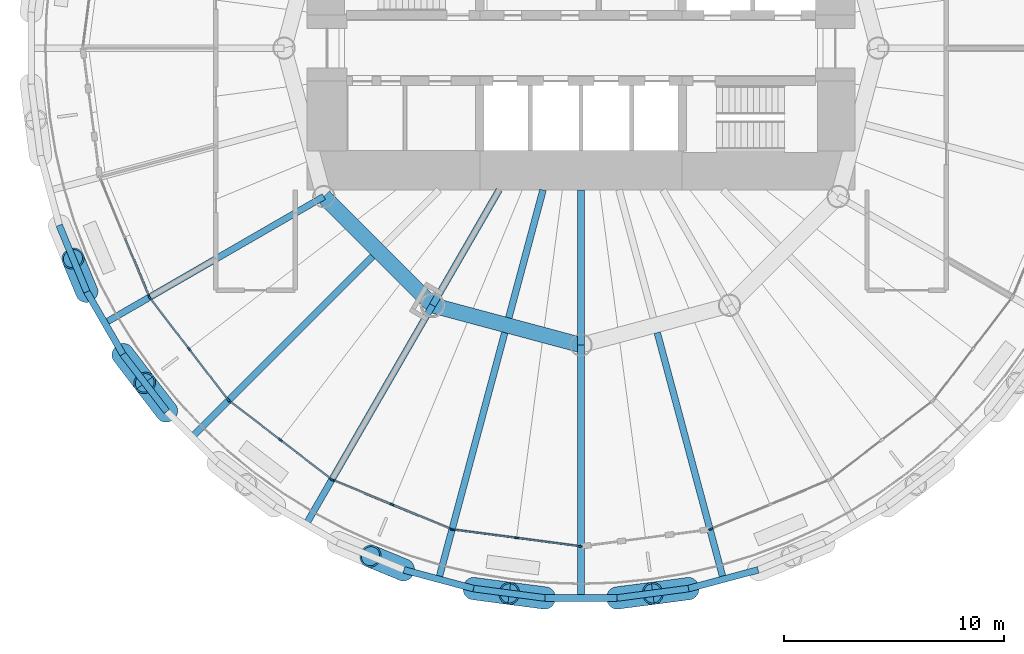
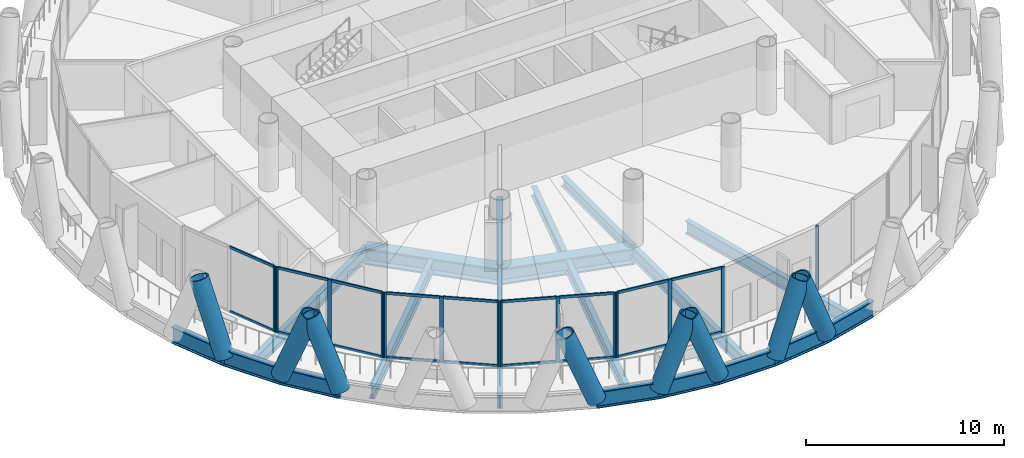
# One storey, part 2 of 15: 40 members, 19 beams, 6 elements without a shape of their own.
"""IFC4 building model written with IfcOpenShell, lengths in metres."""

from ifc_helpers import new_model, si_unit, direction, frame, origin, origin_2d, place, context, subcontext, project, spatial, rectangle, hollow_circle, i_section, extrude, material, material_profile, profile_set, type_object, element, aggregate, save


model = new_model("IFC4")

# Units and contexts
model_context = context("Model", 3, precision=1e-05, world=origin(), true_north=direction((0.0, 1.0)))
body_context = subcontext(model_context, "Body", "Model", "MODEL_VIEW")
ifc_project = project(units=[si_unit("LENGTHUNIT", "METRE"), si_unit("AREAUNIT", "SQUARE_METRE"), si_unit("VOLUMEUNIT", "CUBIC_METRE"), si_unit("PLANEANGLEUNIT", "RADIAN"), si_unit("MASSUNIT", "GRAM", prefix="KILO")], contexts=[model_context])

# Site, building, storey
site_placement = place(None, origin())
site = spatial("IfcSite", under=ifc_project, at=site_placement, CompositionType="ELEMENT")
building_placement = place(site_placement, origin())
building = spatial("IfcBuilding", under=site, at=building_placement, Name="Qaws Media Tower", CompositionType="ELEMENT")
storey_placement = place(building_placement, frame((0.0, 0.0, 131.0)))
storey = spatial("IfcBuildingStorey", under=building, at=storey_placement, Name="L29", CompositionType="ELEMENT", Elevation=131.0)

# Curtain wall, member
ifc_material_1 = material(Name="Aluminium and clear glass", Category="aluminium")
curtain_wall_type = type_object("IfcCurtainWallType", Name="Unitised curtain wall CW-B", PredefinedType="NOTDEFINED", material=ifc_material_1)
curtain_wall_1_placement = place(storey_placement, origin())
curtain_wall_1 = element("IfcCurtainWall", 1, at=curtain_wall_1_placement, inside=storey, type_object=curtain_wall_type, Name="CWB curtain wall L29-14", PredefinedType="NOTDEFINED")
ifc_material_2 = material(Name="Aluminium mullion", Category="aluminium")
ifc_material_profile_1 = material_profile(ifc_material_2, rectangle(XDim=0.080078125, YDim=0.199951171875, at=origin_2d()), Name="80x200")
ifc_profile_set_1 = profile_set([ifc_material_profile_1], Name="Aluminium mullion")
member_type_1 = type_object("IfcMemberType", Name="Curtain wall mullion 80x200", PredefinedType="MULLION", material=ifc_profile_set_1)
member_1_placement = place(storey_placement, frame((40.369140625, 38.7119140625, 0.0), z_axis=(0.0, 0.0, 1.0), x_axis=(0.923879515987, 0.382683472258, 0.0)))
member_1 = element("IfcMember", 2, at=member_1_placement, type_object=member_type_1, Name="CWB mullion 3", PredefinedType="MULLION", context=body_context, shape_type="SweptSolid", body=[
    extrude(rectangle(XDim=0.080078125, YDim=0.199951171875, at=origin_2d()), origin(), (0.0, 0.0, 1.0), 4.0400390625),
])

# Curtain wall, members
curtain_wall_2_placement = place(storey_placement, origin())
curtain_wall_2 = element("IfcCurtainWall", 3, at=curtain_wall_2_placement, inside=storey, type_object=curtain_wall_type, Name="CWB curtain wall L29-15", PredefinedType="NOTDEFINED")
member_2_placement = place(storey_placement, frame((40.408935546875, 38.643310546875, 0.0), z_axis=(0.0, 0.0, 1.0), x_axis=(0.79335343124, 0.608761310482, 0.0)))
member_2 = element("IfcMember", 4, at=member_2_placement, type_object=member_type_1, Name="CWB mullion 1", PredefinedType="MULLION", context=body_context, shape_type="SweptSolid", body=[
    extrude(rectangle(XDim=0.080078125, YDim=0.199951171875, at=origin_2d()), origin(), (0.0, 0.0, 1.0), 4.0400390625),
])
member_3_placement = place(storey_placement, frame((42.184326171875, 36.32958984375, 0.0), z_axis=(0.0, 0.0, 1.0), x_axis=(0.79335343124, 0.608761310482, 0.0)))
member_3 = element("IfcMember", 5, at=member_3_placement, type_object=member_type_1, Name="CWB mullion 2", PredefinedType="MULLION", context=body_context, shape_type="SweptSolid", body=[
    extrude(rectangle(XDim=0.080078125, YDim=0.199951171875, at=origin_2d()), origin(), (0.0, 0.0, 1.0), 4.0400390625),
])
member_4_placement = place(storey_placement, frame((43.959716796875, 34.015869140625, 0.0), z_axis=(0.0, 0.0, 1.0), x_axis=(0.79335343124, 0.608761310482, 0.0)))
member_4 = element("IfcMember", 6, at=member_4_placement, type_object=member_type_1, Name="CWB mullion 3", PredefinedType="MULLION", context=body_context, shape_type="SweptSolid", body=[
    extrude(rectangle(XDim=0.080078125, YDim=0.199951171875, at=origin_2d()), origin(), (0.0, 0.0, 1.0), 4.0400390625),
])

curtain_wall_3_placement = place(storey_placement, origin())
curtain_wall_3 = element("IfcCurtainWall", 7, at=curtain_wall_3_placement, inside=storey, type_object=curtain_wall_type, Name="CWB curtain wall L29-16", PredefinedType="NOTDEFINED")
member_5_placement = place(storey_placement, frame((44.015869140625, 33.959716796875, 0.0), z_axis=(0.0, 0.0, 1.0), x_axis=(0.608761310482, 0.79335343124, 0.0)))
member_5 = element("IfcMember", 8, at=member_5_placement, type_object=member_type_1, Name="CWB mullion 1", PredefinedType="MULLION", context=body_context, shape_type="SweptSolid", body=[
    extrude(rectangle(XDim=0.080078125, YDim=0.199951171875, at=origin_2d()), origin(), (0.0, 0.0, 1.0), 4.0400390625),
])
member_6_placement = place(storey_placement, frame((46.32958984375, 32.184326171875, 0.0), z_axis=(0.0, 0.0, 1.0), x_axis=(0.608761310482, 0.79335343124, 0.0)))
member_6 = element("IfcMember", 9, at=member_6_placement, type_object=member_type_1, Name="CWB mullion 2", PredefinedType="MULLION", context=body_context, shape_type="SweptSolid", body=[
    extrude(rectangle(XDim=0.080078125, YDim=0.199951171875, at=origin_2d()), origin(), (0.0, 0.0, 1.0), 4.0400390625),
])
member_7_placement = place(storey_placement, frame((48.643310546875, 30.408935546875, 0.0), z_axis=(0.0, 0.0, 1.0), x_axis=(0.608761310482, 0.79335343124, 0.0)))
member_7 = element("IfcMember", 10, at=member_7_placement, type_object=member_type_1, Name="CWB mullion 3", PredefinedType="MULLION", context=body_context, shape_type="SweptSolid", body=[
    extrude(rectangle(XDim=0.080078125, YDim=0.199951171875, at=origin_2d()), origin(), (0.0, 0.0, 1.0), 4.0400390625),
])

curtain_wall_4_placement = place(storey_placement, origin())
curtain_wall_4 = element("IfcCurtainWall", 11, at=curtain_wall_4_placement, inside=storey, type_object=curtain_wall_type, Name="CWB curtain wall L29-17", PredefinedType="NOTDEFINED")
member_8_placement = place(storey_placement, frame((48.7119140625, 30.369140625, 0.0), z_axis=(0.0, 0.0, 1.0), x_axis=(0.382683472258, 0.923879515987, 0.0)))
member_8 = element("IfcMember", 12, at=member_8_placement, type_object=member_type_1, Name="CWB mullion 1", PredefinedType="MULLION", context=body_context, shape_type="SweptSolid", body=[
    extrude(rectangle(XDim=0.080078125, YDim=0.199951171875, at=origin_2d()), origin(), (0.0, 0.0, 1.0), 4.0400390625),
])
member_9_placement = place(storey_placement, frame((51.406494140625, 29.253173828125, 0.0), z_axis=(0.0, 0.0, 1.0), x_axis=(0.382683472258, 0.923879515987, 0.0)))
member_9 = element("IfcMember", 13, at=member_9_placement, type_object=member_type_1, Name="CWB mullion 2", PredefinedType="MULLION", context=body_context, shape_type="SweptSolid", body=[
    extrude(rectangle(XDim=0.080078125, YDim=0.199951171875, at=origin_2d()), origin(), (0.0, 0.0, 1.0), 4.0400390625),
])
member_10_placement = place(storey_placement, frame((54.100830078125, 28.13720703125, 0.0), z_axis=(0.0, 0.0, 1.0), x_axis=(0.382683472258, 0.923879515987, 0.0)))
member_10 = element("IfcMember", 14, at=member_10_placement, type_object=member_type_1, Name="CWB mullion 3", PredefinedType="MULLION", context=body_context, shape_type="SweptSolid", body=[
    extrude(rectangle(XDim=0.080078125, YDim=0.199951171875, at=origin_2d()), origin(), (0.0, 0.0, 1.0), 4.0400390625),
])

curtain_wall_5_placement = place(storey_placement, origin())
curtain_wall_5 = element("IfcCurtainWall", 15, at=curtain_wall_5_placement, inside=storey, type_object=curtain_wall_type, Name="CWB curtain wall L29-18", PredefinedType="NOTDEFINED")
member_11_placement = place(storey_placement, frame((54.177490234375, 28.116455078125, 0.0), z_axis=(0.0, 0.0, 1.0), x_axis=(0.130526194608, 0.991444861059, 0.0)))
member_11 = element("IfcMember", 16, at=member_11_placement, type_object=member_type_1, Name="CWB mullion 1", PredefinedType="MULLION", context=body_context, shape_type="SweptSolid", body=[
    extrude(rectangle(XDim=0.080078125, YDim=0.199951171875, at=origin_2d()), origin(), (0.0, 0.0, 1.0), 4.0400390625),
])
member_12_placement = place(storey_placement, frame((57.06884765625, 27.73583984375, 0.0), z_axis=(0.0, 0.0, 1.0), x_axis=(0.130526194608, 0.991444861059, 0.0)))
member_12 = element("IfcMember", 17, at=member_12_placement, type_object=member_type_1, Name="CWB mullion 2", PredefinedType="MULLION", context=body_context, shape_type="SweptSolid", body=[
    extrude(rectangle(XDim=0.080078125, YDim=0.199951171875, at=origin_2d()), origin(), (0.0, 0.0, 1.0), 4.0400390625),
])
member_13_placement = place(storey_placement, frame((59.96044921875, 27.355224609375, 0.0), z_axis=(0.0, 0.0, 1.0), x_axis=(0.130526194608, 0.991444861059, 0.0)))
member_13 = element("IfcMember", 18, at=member_13_placement, type_object=member_type_1, Name="CWB mullion 3", PredefinedType="MULLION", context=body_context, shape_type="SweptSolid", body=[
    extrude(rectangle(XDim=0.080078125, YDim=0.199951171875, at=origin_2d()), origin(), (0.0, 0.0, 1.0), 4.0400390625),
])

# Curtain wall, member
curtain_wall_6_placement = place(storey_placement, origin())
curtain_wall_6 = element("IfcCurtainWall", 19, at=curtain_wall_6_placement, inside=storey, type_object=curtain_wall_type, Name="CWB curtain wall L29-20", PredefinedType="NOTDEFINED")
member_14_placement = place(storey_placement, frame((65.899169921875, 28.13720703125, 0.0), z_axis=(0.0, 0.0, 1.0), x_axis=(-0.382683472258, 0.923879515987, 0.0)))
member_14 = element("IfcMember", 20, at=member_14_placement, type_object=member_type_1, Name="CWB mullion 1", PredefinedType="MULLION", context=body_context, shape_type="SweptSolid", body=[
    extrude(rectangle(XDim=0.080078125, YDim=0.199951171875, at=origin_2d()), origin(), (0.0, 0.0, 1.0), 4.0400390625),
])
aggregate(curtain_wall_6, [member_14])

# Member
ifc_material_3 = material(Name="Aluminium transom", Category="aluminium")
ifc_material_profile_2 = material_profile(ifc_material_3, rectangle(XDim=0.080078125, YDim=0.159912109375, at=origin_2d()), Name="80x160")
ifc_profile_set_2 = profile_set([ifc_material_profile_2], Name="Aluminium transom")
member_type_2 = type_object("IfcMemberType", Name="Curtain wall transom 80x160", PredefinedType="USERDEFINED", material=ifc_profile_set_2)
member_15_placement = place(storey_placement, frame((39.2685546875, 41.369384765625, 0.0400390625), z_axis=(0.382701494265, -0.92387205082, 0.0), x_axis=(0.92387205082, 0.382701494265, 0.0)))
member_15 = element("IfcMember", 21, at=member_15_placement, type_object=member_type_2, Name="CWB transom 2.1", ObjectType="TRANSOM", PredefinedType="USERDEFINED", context=body_context, shape_type="SweptSolid", body=[
    extrude(rectangle(XDim=0.080078125, YDim=0.159912109375, at=origin_2d()), origin(), (0.0, 0.0, 1.0), 2.836181640625),
])

member_16_placement = place(storey_placement, frame((39.2685546875, 41.369384765625, 4.0), z_axis=(0.382701494265, -0.92387205082, 0.0), x_axis=(0.92387205082, 0.382701494265, 0.0)))
member_16 = element("IfcMember", 22, at=member_16_placement, type_object=member_type_2, Name="CWB transom 2.2", ObjectType="TRANSOM", PredefinedType="USERDEFINED", context=body_context, shape_type="SweptSolid", body=[
    extrude(rectangle(XDim=0.080078125, YDim=0.159912109375, at=origin_2d()), origin(), (0.0, 0.0, 1.0), 2.836181640625),
])

aggregate(curtain_wall_1, [member_1, member_15, member_16])

member_17_placement = place(storey_placement, frame((40.43310546875, 38.611572265625, 0.0400390625), z_axis=(0.608791070465, -0.793330594722, 0.0), x_axis=(0.793330594722, 0.608791070465, 0.0)))
member_17 = element("IfcMember", 23, at=member_17_placement, type_object=member_type_2, Name="CWB transom 1.1", ObjectType="TRANSOM", PredefinedType="USERDEFINED", context=body_context, shape_type="SweptSolid", body=[
    extrude(rectangle(XDim=0.080078125, YDim=0.159912109375, at=origin_2d()), origin(), (0.0, 0.0, 1.0), 2.83642578125),
])

member_18_placement = place(storey_placement, frame((40.43310546875, 38.611572265625, 4.0), z_axis=(0.608791070465, -0.793330594722, 0.0), x_axis=(0.793330594722, 0.608791070465, 0.0)))
member_18 = element("IfcMember", 24, at=member_18_placement, type_object=member_type_2, Name="CWB transom 1.2", ObjectType="TRANSOM", PredefinedType="USERDEFINED", context=body_context, shape_type="SweptSolid", body=[
    extrude(rectangle(XDim=0.080078125, YDim=0.159912109375, at=origin_2d()), origin(), (0.0, 0.0, 1.0), 2.83642578125),
])

member_19_placement = place(storey_placement, frame((42.208740234375, 36.2978515625, 0.0400390625), z_axis=(0.608736894437, -0.793372165728, 0.0), x_axis=(0.793372165728, 0.608736894437, 0.0)))
member_19 = element("IfcMember", 25, at=member_19_placement, type_object=member_type_2, Name="CWB transom 2.1", ObjectType="TRANSOM", PredefinedType="USERDEFINED", context=body_context, shape_type="SweptSolid", body=[
    extrude(rectangle(XDim=0.080078125, YDim=0.159912109375, at=origin_2d()), origin(), (0.0, 0.0, 1.0), 2.836181640625),
])

member_20_placement = place(storey_placement, frame((42.208740234375, 36.2978515625, 4.0), z_axis=(0.608736894437, -0.793372165728, 0.0), x_axis=(0.793372165728, 0.608736894437, 0.0)))
member_20 = element("IfcMember", 26, at=member_20_placement, type_object=member_type_2, Name="CWB transom 2.2", ObjectType="TRANSOM", PredefinedType="USERDEFINED", context=body_context, shape_type="SweptSolid", body=[
    extrude(rectangle(XDim=0.080078125, YDim=0.159912109375, at=origin_2d()), origin(), (0.0, 0.0, 1.0), 2.836181640625),
])

aggregate(curtain_wall_2, [member_2, member_3, member_4, member_17, member_18, member_19, member_20])

member_21_placement = place(storey_placement, frame((44.047607421875, 33.935302734375, 0.0400390625), z_axis=(0.793372165728, -0.608736894437, 0.0), x_axis=(0.608736894437, 0.793372165728, 0.0)))
member_21 = element("IfcMember", 27, at=member_21_placement, type_object=member_type_2, Name="CWB transom 1.1", ObjectType="TRANSOM", PredefinedType="USERDEFINED", context=body_context, shape_type="SweptSolid", body=[
    extrude(rectangle(XDim=0.080078125, YDim=0.159912109375, at=origin_2d()), origin(), (0.0, 0.0, 1.0), 2.836181640625),
])

member_22_placement = place(storey_placement, frame((44.047607421875, 33.935302734375, 4.0), z_axis=(0.793372165728, -0.608736894437, 0.0), x_axis=(0.608736894437, 0.793372165728, 0.0)))
member_22 = element("IfcMember", 28, at=member_22_placement, type_object=member_type_2, Name="CWB transom 1.2", ObjectType="TRANSOM", PredefinedType="USERDEFINED", context=body_context, shape_type="SweptSolid", body=[
    extrude(rectangle(XDim=0.080078125, YDim=0.159912109375, at=origin_2d()), origin(), (0.0, 0.0, 1.0), 2.836181640625),
])

member_23_placement = place(storey_placement, frame((46.361328125, 32.159912109375, 0.0400390625), z_axis=(0.793330594722, -0.608791070465, 0.0), x_axis=(0.608791070465, 0.793330594722, 0.0)))
member_23 = element("IfcMember", 29, at=member_23_placement, type_object=member_type_2, Name="CWB transom 2.1", ObjectType="TRANSOM", PredefinedType="USERDEFINED", context=body_context, shape_type="SweptSolid", body=[
    extrude(rectangle(XDim=0.080078125, YDim=0.159912109375, at=origin_2d()), origin(), (0.0, 0.0, 1.0), 2.83642578125),
])

member_24_placement = place(storey_placement, frame((46.361328125, 32.159912109375, 4.0), z_axis=(0.793330594722, -0.608791070465, 0.0), x_axis=(0.608791070465, 0.793330594722, 0.0)))
member_24 = element("IfcMember", 30, at=member_24_placement, type_object=member_type_2, Name="CWB transom 2.2", ObjectType="TRANSOM", PredefinedType="USERDEFINED", context=body_context, shape_type="SweptSolid", body=[
    extrude(rectangle(XDim=0.080078125, YDim=0.159912109375, at=origin_2d()), origin(), (0.0, 0.0, 1.0), 2.83642578125),
])

aggregate(curtain_wall_3, [member_5, member_6, member_7, member_21, member_22, member_23, member_24])

member_25_placement = place(storey_placement, frame((48.7490234375, 30.35400390625, 0.0400390625), z_axis=(0.92387205082, -0.382701494265, 0.0), x_axis=(0.382701494265, 0.92387205082, 0.0)))
member_25 = element("IfcMember", 31, at=member_25_placement, type_object=member_type_2, Name="CWB transom 1.1", ObjectType="TRANSOM", PredefinedType="USERDEFINED", context=body_context, shape_type="SweptSolid", body=[
    extrude(rectangle(XDim=0.080078125, YDim=0.159912109375, at=origin_2d()), origin(), (0.0, 0.0, 1.0), 2.836181640625),
])

member_26_placement = place(storey_placement, frame((48.7490234375, 30.35400390625, 4.0), z_axis=(0.92387205082, -0.382701494265, 0.0), x_axis=(0.382701494265, 0.92387205082, 0.0)))
member_26 = element("IfcMember", 32, at=member_26_placement, type_object=member_type_2, Name="CWB transom 1.2", ObjectType="TRANSOM", PredefinedType="USERDEFINED", context=body_context, shape_type="SweptSolid", body=[
    extrude(rectangle(XDim=0.080078125, YDim=0.159912109375, at=origin_2d()), origin(), (0.0, 0.0, 1.0), 2.836181640625),
])

member_27_placement = place(storey_placement, frame((51.443359375, 29.23779296875, 0.0400390625), z_axis=(0.92387205082, -0.382701494265, 0.0), x_axis=(0.382701494265, 0.92387205082, 0.0)))
member_27 = element("IfcMember", 33, at=member_27_placement, type_object=member_type_2, Name="CWB transom 2.1", ObjectType="TRANSOM", PredefinedType="USERDEFINED", context=body_context, shape_type="SweptSolid", body=[
    extrude(rectangle(XDim=0.080078125, YDim=0.159912109375, at=origin_2d()), origin(), (0.0, 0.0, 1.0), 2.836181640625),
])

member_28_placement = place(storey_placement, frame((51.443359375, 29.23779296875, 4.0), z_axis=(0.92387205082, -0.382701494265, 0.0), x_axis=(0.382701494265, 0.92387205082, 0.0)))
member_28 = element("IfcMember", 34, at=member_28_placement, type_object=member_type_2, Name="CWB transom 2.2", ObjectType="TRANSOM", PredefinedType="USERDEFINED", context=body_context, shape_type="SweptSolid", body=[
    extrude(rectangle(XDim=0.080078125, YDim=0.159912109375, at=origin_2d()), origin(), (0.0, 0.0, 1.0), 2.836181640625),
])

aggregate(curtain_wall_4, [member_8, member_9, member_10, member_25, member_26, member_27, member_28])

member_29_placement = place(storey_placement, frame((54.217041015625, 28.111328125, 0.0400390625), z_axis=(0.991450486674, -0.130483456706, 0.0), x_axis=(0.130483456706, 0.991450486674, 0.0)))
member_29 = element("IfcMember", 35, at=member_29_placement, type_object=member_type_2, Name="CWB transom 1.1", ObjectType="TRANSOM", PredefinedType="USERDEFINED", context=body_context, shape_type="SweptSolid", body=[
    extrude(rectangle(XDim=0.080078125, YDim=0.159912109375, at=origin_2d()), origin(), (0.0, 0.0, 1.0), 2.83642578125),
])

member_30_placement = place(storey_placement, frame((54.217041015625, 28.111328125, 4.0), z_axis=(0.991450486674, -0.130483456706, 0.0), x_axis=(0.130483456706, 0.991450486674, 0.0)))
member_30 = element("IfcMember", 36, at=member_30_placement, type_object=member_type_2, Name="CWB transom 1.2", ObjectType="TRANSOM", PredefinedType="USERDEFINED", context=body_context, shape_type="SweptSolid", body=[
    extrude(rectangle(XDim=0.080078125, YDim=0.159912109375, at=origin_2d()), origin(), (0.0, 0.0, 1.0), 2.83642578125),
])

member_31_placement = place(storey_placement, frame((57.108642578125, 27.730712890625, 0.0400390625), z_axis=(0.991437880872, -0.130579203445, 0.0), x_axis=(0.130579203445, 0.991437880872, 0.0)))
member_31 = element("IfcMember", 37, at=member_31_placement, type_object=member_type_2, Name="CWB transom 2.1", ObjectType="TRANSOM", PredefinedType="USERDEFINED", context=body_context, shape_type="SweptSolid", body=[
    extrude(rectangle(XDim=0.080078125, YDim=0.159912109375, at=origin_2d()), origin(), (0.0, 0.0, 1.0), 2.836181640625),
])

member_32_placement = place(storey_placement, frame((57.108642578125, 27.730712890625, 4.0), z_axis=(0.991437880872, -0.130579203445, 0.0), x_axis=(0.130579203445, 0.991437880872, 0.0)))
member_32 = element("IfcMember", 38, at=member_32_placement, type_object=member_type_2, Name="CWB transom 2.2", ObjectType="TRANSOM", PredefinedType="USERDEFINED", context=body_context, shape_type="SweptSolid", body=[
    extrude(rectangle(XDim=0.080078125, YDim=0.159912109375, at=origin_2d()), origin(), (0.0, 0.0, 1.0), 2.836181640625),
])

aggregate(curtain_wall_5, [member_11, member_12, member_13, member_29, member_30, member_31, member_32])

# Members
ifc_material_4 = material(Name="Steel S460", Category="steel")
ifc_material_profile_3 = material_profile(ifc_material_4, hollow_circle(Radius=0.508056640625, WallThickness=0.070068359375, at=origin_2d()), Name="CHS 1016x70")
ifc_profile_set_3 = profile_set([ifc_material_profile_3], Name="Steel S460")
member_type_3 = type_object("IfcMemberType", Name="Diagrid member CHS 1016x70", PredefinedType="USERDEFINED", material=ifc_profile_set_3)
for number, where, z_axis, x_axis, name in (
    (39, (39.171630859375, 36.0830078125, -0.6640625), (0.220625429951, -0.288805944508, 0.931619850624), (0.794658028711, 0.607057342765, 0.0), "DG3 diagrid L29 A15"),
    (40, (37.533447265625, 38.920654296875, -0.6640625), (-0.139828148324, 0.335435922045, 0.931628054074), (-0.923015187913, -0.38476351553, 0.0), "DG3 diagrid L29 B15"),
    (41, (41.16650390625, 33.4833984375, -0.6640625), (-0.221872197293, 0.28783273825, 0.93162494753), (-0.792008696102, -0.610509807701, 0.0), "DG3 diagrid L29 B16"),
):
    element("IfcMember", number, at=place(storey_placement, frame(where, z_axis=z_axis, x_axis=x_axis)), inside=storey, type_object=member_type_3, Name=name, ObjectType="DIAGRID", PredefinedType="USERDEFINED", context=body_context, shape_type="SweptSolid", body=[
        extrude(hollow_circle(Radius=0.508056640625, WallThickness=0.070068359375, at=origin_2d()), origin(), (0.0, 0.0, 1.0), 4.50830078125),
    ])
member_33_placement = place(storey_placement, frame((55.113037109375, 25.431396484375, -0.6640625), z_axis=(0.360186160571, -0.048252273202, 0.931631712569), x_axis=(0.132778654682, 0.991145715251, 0.0)))
element("IfcMember", 42, at=member_33_placement, inside=storey, type_object=member_type_3, Name="DG3 diagrid L29 A18", ObjectType="DIAGRID", PredefinedType="USERDEFINED", context=body_context, shape_type="SweptSolid", body=[
    extrude(hollow_circle(Radius=0.508056640625, WallThickness=0.070068359375, at=origin_2d()), origin(), (0.0, 0.0, 1.0), 4.508056640625),
])
member_34_placement = place(storey_placement, frame((51.947998046875, 26.279296875, -0.6640625), z_axis=(-0.336080803796, 0.13836391455, 0.931614255188), x_axis=(-0.380697345738, -0.924699697711, 0.0)))
element("IfcMember", 43, at=member_34_placement, inside=storey, type_object=member_type_3, Name="DG3 diagrid L29 B18", ObjectType="DIAGRID", PredefinedType="USERDEFINED", context=body_context, shape_type="SweptSolid", body=[
    extrude(hollow_circle(Radius=0.508056640625, WallThickness=0.070068359375, at=origin_2d()), origin(), (0.0, 0.0, 1.0), 4.50830078125),
])
for number, where, z_axis, x_axis, name in (
    (44, (61.638427734375, 25.003662109375, -0.6640625), (0.360402430408, 0.046627572138, 0.931630805455), (-0.128307046915, 0.991734491541, 0.0), "DG3 diagrid L29 A19"),
    (45, (58.361572265625, 25.003662109375, -0.6640625), (-0.360402430408, 0.046627572138, 0.931630805455), (-0.128307046915, -0.991734491541, 0.0), "DG3 diagrid L29 B19"),
    (46, (64.886962890625, 25.431396484375, -0.6640625), (-0.360186160571, -0.048252273202, 0.931631712569), (0.132778654682, -0.991145715251, 0.0), "DG3 diagrid L29 B20"),
):
    element("IfcMember", number, at=place(storey_placement, frame(where, z_axis=z_axis, x_axis=x_axis)), inside=storey, type_object=member_type_3, Name=name, ObjectType="DIAGRID", PredefinedType="USERDEFINED", context=body_context, shape_type="SweptSolid", body=[
        extrude(hollow_circle(Radius=0.508056640625, WallThickness=0.070068359375, at=origin_2d()), origin(), (0.0, 0.0, 1.0), 4.508056640625),
    ])

# Beams
ifc_material_5 = material(Name="Steel S460", Category="steel")
ifc_material_profile_4 = material_profile(ifc_material_5, i_section(OverallWidth=0.302001953125, OverallDepth=1.008056640625, WebThickness=0.02099609375, FlangeThickness=0.0400390625, FilletRadius=0.030029296875, at=origin_2d()), Name="HE 1000 M")
ifc_profile_set_4 = profile_set([ifc_material_profile_4], Name="Steel S460")
beam_type_1 = type_object("IfcBeamType", Name="Edge ring beam HE 1000 M", PredefinedType="BEAM", material=ifc_profile_set_4)
beam_1_placement = place(storey_placement, frame((36.279296875, 41.947998046875, -0.6640625), z_axis=(0.382731243391, -0.923859727087, 0.0), x_axis=(0.923859727087, 0.382731243391, 0.0)))
element("IfcBeam", 47, at=beam_1_placement, inside=storey, type_object=beam_type_1, Name="RB3 edge ring beam L29-27", PredefinedType="BEAM", context=body_context, shape_type="SweptSolid", body=[
    extrude(i_section(OverallWidth=0.302001953125, OverallDepth=1.008056640625, WebThickness=0.02099609375, FlangeThickness=0.0400390625, FilletRadius=0.030029296875, at=origin_2d()), origin(), (0.0, 0.0, 1.0), 3.27685546875),
])
beam_2_placement = place(storey_placement, frame((37.533447265625, 38.920654296875, -0.6640625), z_axis=(0.499969700927, -0.866042896256, 0.0), x_axis=(0.866042896256, 0.499969700927, 0.0)))
element("IfcBeam", 48, at=beam_2_placement, inside=storey, type_object=beam_type_1, Name="RB3 edge ring beam L29-28", PredefinedType="BEAM", context=body_context, shape_type="SweptSolid", body=[
    extrude(i_section(OverallWidth=0.302001953125, OverallDepth=1.008056640625, WebThickness=0.02099609375, FlangeThickness=0.0400390625, FilletRadius=0.030029296875, at=origin_2d()), origin(), (0.0, 0.0, 1.0), 3.276611328125),
])
beam_3_placement = place(storey_placement, frame((39.171630859375, 36.0830078125, -0.6640625), z_axis=(0.608784980665, -0.793335267914, 0.0), x_axis=(0.793335267914, 0.608784980665, 0.0)))
element("IfcBeam", 49, at=beam_3_placement, inside=storey, type_object=beam_type_1, Name="RB3 edge ring beam L29-29", PredefinedType="BEAM", context=body_context, shape_type="SweptSolid", body=[
    extrude(i_section(OverallWidth=0.302001953125, OverallDepth=1.008056640625, WebThickness=0.02099609375, FlangeThickness=0.0400390625, FilletRadius=0.030029296875, at=origin_2d()), origin(), (0.0, 0.0, 1.0), 3.27685546875),
])
for number, where, z_axis, x_axis, name in (
    (50, (51.947998046875, 26.279296875, -0.6640625), (0.965938739985, -0.258770845724, 0.0), (0.258770845724, 0.965938739985, 0.0), "RB3 edge ring beam L29-34"),
    (51, (55.113037109375, 25.431396484375, -0.6640625), (0.991442625467, -0.130543174494, 0.0), (0.130543174494, 0.991442625467, 0.0), "RB3 edge ring beam L29-35"),
):
    element("IfcBeam", number, at=place(storey_placement, frame(where, z_axis=z_axis, x_axis=x_axis)), inside=storey, type_object=beam_type_1, Name=name, PredefinedType="BEAM", context=body_context, shape_type="SweptSolid", body=[
        extrude(i_section(OverallWidth=0.302001953125, OverallDepth=1.008056640625, WebThickness=0.02099609375, FlangeThickness=0.0400390625, FilletRadius=0.030029296875, at=origin_2d()), origin(), (0.0, 0.0, 1.0), 3.276611328125),
    ])
beam_4_placement = place(storey_placement, frame((58.361572265625, 25.003662109375, -0.6640625), z_axis=(1.0, 0.0, 0.0), x_axis=(0.0, 1.0, 0.0)))
element("IfcBeam", 52, at=beam_4_placement, inside=storey, type_object=beam_type_1, Name="RB3 edge ring beam L29-36", PredefinedType="BEAM", context=body_context, shape_type="SweptSolid", body=[
    extrude(i_section(OverallWidth=0.302001953125, OverallDepth=1.008056640625, WebThickness=0.02099609375, FlangeThickness=0.0400390625, FilletRadius=0.030029296875, at=origin_2d()), origin(), (0.0, 0.0, 1.0), 3.27685546875),
])
for number, where, z_axis, x_axis, name in (
    (53, (61.638427734375, 25.003662109375, -0.6640625), (0.991442625467, 0.130543174494, 0.0), (-0.130543174494, 0.991442625467, 0.0), "RB3 edge ring beam L29-37"),
    (54, (64.886962890625, 25.431396484375, -0.6640625), (0.965938739985, 0.258770845724, 0.0), (-0.258770845724, 0.965938739985, 0.0), "RB3 edge ring beam L29-38"),
):
    element("IfcBeam", number, at=place(storey_placement, frame(where, z_axis=z_axis, x_axis=x_axis)), inside=storey, type_object=beam_type_1, Name=name, PredefinedType="BEAM", context=body_context, shape_type="SweptSolid", body=[
        extrude(i_section(OverallWidth=0.302001953125, OverallDepth=1.008056640625, WebThickness=0.02099609375, FlangeThickness=0.0400390625, FilletRadius=0.030029296875, at=origin_2d()), origin(), (0.0, 0.0, 1.0), 3.276611328125),
    ])
ifc_material_6 = material(Name="Steel S460", Category="steel")
ifc_material_profile_5 = material_profile(ifc_material_6, i_section(OverallWidth=0.699951171875, OverallDepth=1.0, WebThickness=0.034912109375, FlangeThickness=0.090087890625, at=origin_2d()), Name="PG 1000x700")
ifc_profile_set_5 = profile_set([ifc_material_profile_5], Name="Steel S460")
beam_type_2 = type_object("IfcBeamType", Name="Inner ring girder PG 1000x700", PredefinedType="BEAM", material=ifc_profile_set_5)
beam_5_placement = place(storey_placement, frame((48.30859375, 43.25, -0.659912109375), z_axis=(0.707106781187, -0.707106781187, 0.0), x_axis=(0.707106781187, 0.707106781187, 0.0)))
element("IfcBeam", 55, at=beam_5_placement, inside=storey, type_object=beam_type_2, Name="B3 inner ring beam L29 I08-I09", PredefinedType="BEAM", context=body_context, shape_type="SweptSolid", body=[
    extrude(i_section(OverallWidth=0.699951171875, OverallDepth=1.0, WebThickness=0.034912109375, FlangeThickness=0.090087890625, at=origin_2d()), origin(), (0.0, 0.0, 1.0), 6.98828125),
])
beam_6_placement = place(storey_placement, frame((53.25, 38.30859375, -0.659912109375), z_axis=(0.965928090778, -0.258810593767, 0.0), x_axis=(0.258810593767, 0.965928090778, 0.0)))
element("IfcBeam", 56, at=beam_6_placement, inside=storey, type_object=beam_type_2, Name="B3 inner ring beam L29 I09-I10", PredefinedType="BEAM", context=body_context, shape_type="SweptSolid", body=[
    extrude(i_section(OverallWidth=0.699951171875, OverallDepth=1.0, WebThickness=0.034912109375, FlangeThickness=0.090087890625, at=origin_2d()), origin(), (0.0, 0.0, 1.0), 6.988037109375),
])
ifc_material_7 = material(Name="Steel S355", Category="steel")
ifc_material_profile_6 = material_profile(ifc_material_7, i_section(OverallWidth=0.304931640625, OverallDepth=0.6201171875, WebThickness=0.02099609375, FlangeThickness=0.0400390625, FilletRadius=0.027099609375, at=origin_2d()), Name="HE 600 M")
ifc_profile_set_6 = profile_set([ifc_material_profile_6], Name="Steel S355")
beam_type_3 = type_object("IfcBeamType", Name="Radial beam HE 600 M, core side", PredefinedType="BEAM", material=ifc_profile_set_6)
beam_7_placement = place(storey_placement, frame((56.276123046875, 43.550048828125, -0.469970703125), z_axis=(-0.499995978368, -0.866027725662, 0.0), x_axis=(0.866027725662, -0.499995978368, 0.0)))
element("IfcBeam", 57, at=beam_7_placement, inside=storey, type_object=beam_type_3, Name="B2 radial beam L29 17", PredefinedType="BEAM", context=body_context, shape_type="SweptSolid", body=[
    extrude(i_section(OverallWidth=0.304931640625, OverallDepth=0.6201171875, WebThickness=0.02099609375, FlangeThickness=0.0400390625, FilletRadius=0.027099609375, at=origin_2d()), origin(), (0.0, 0.0, 1.0), 6.05224609375),
])
beam_8_placement = place(storey_placement, frame((58.271728515625, 43.550048828125, -0.469970703125), z_axis=(-0.258819977482, -0.965925576458, 0.0), x_axis=(0.965925576458, -0.258819977482, 0.0)))
element("IfcBeam", 58, at=beam_8_placement, inside=storey, type_object=beam_type_3, Name="B2 radial beam L29 18", PredefinedType="BEAM", context=body_context, shape_type="SweptSolid", body=[
    extrude(i_section(OverallWidth=0.304931640625, OverallDepth=0.6201171875, WebThickness=0.02099609375, FlangeThickness=0.0400390625, FilletRadius=0.027099609375, at=origin_2d()), origin(), (0.0, 0.0, 1.0), 6.012451171875),
])
beam_9_placement = place(storey_placement, frame((60.0, 43.550048828125, -0.469970703125), z_axis=(0.0, -1.0, 0.0), x_axis=(1.0, 0.0, 0.0)))
element("IfcBeam", 59, at=beam_9_placement, inside=storey, type_object=beam_type_3, Name="B2 radial beam L29 19", PredefinedType="BEAM", context=body_context, shape_type="SweptSolid", body=[
    extrude(i_section(OverallWidth=0.304931640625, OverallDepth=0.6201171875, WebThickness=0.02099609375, FlangeThickness=0.0400390625, FilletRadius=0.027099609375, at=origin_2d()), origin(), (0.0, 0.0, 1.0), 7.050048828125),
])
ifc_material_8 = material(Name="Steel S355", Category="steel")
ifc_material_profile_7 = material_profile(ifc_material_8, i_section(OverallWidth=0.300048828125, OverallDepth=0.800048828125, WebThickness=0.017578125, FlangeThickness=0.032958984375, FilletRadius=0.030029296875, at=origin_2d()), Name="HE 800 B")
ifc_profile_set_7 = profile_set([ifc_material_profile_7], Name="Steel S355")
beam_type_4 = type_object("IfcBeamType", Name="Radial beam HE 800 B", PredefinedType="BEAM", material=ifc_profile_set_7)
beam_10_placement = place(storey_placement, frame((48.30859375, 43.25, -0.56005859375), z_axis=(-0.866019371188, -0.500010448618, 0.0), x_axis=(0.500010448618, -0.866019371188, 0.0)))
element("IfcBeam", 60, at=beam_10_placement, inside=storey, type_object=beam_type_4, Name="B1 radial beam L29 15", PredefinedType="BEAM", context=body_context, shape_type="SweptSolid", body=[
    extrude(i_section(OverallWidth=0.300048828125, OverallDepth=0.800048828125, WebThickness=0.017578125, FlangeThickness=0.032958984375, FilletRadius=0.030029296875, at=origin_2d()), origin(), (0.0, 0.0, 1.0), 11.496337890625),
])
beam_11_placement = place(storey_placement, frame((50.53173828125, 40.53173828125, -0.56005859375), z_axis=(-0.707106781187, -0.707106781187, 0.0), x_axis=(0.707106781187, -0.707106781187, 0.0)))
element("IfcBeam", 61, at=beam_11_placement, inside=storey, type_object=beam_type_4, Name="B1 radial beam L29 16", PredefinedType="BEAM", context=body_context, shape_type="SweptSolid", body=[
    extrude(i_section(OverallWidth=0.300048828125, OverallDepth=0.800048828125, WebThickness=0.017578125, FlangeThickness=0.032958984375, FilletRadius=0.030029296875, at=origin_2d()), origin(), (0.0, 0.0, 1.0), 11.606201171875),
])
beam_12_placement = place(storey_placement, frame((53.25, 38.30859375, -0.56005859375), z_axis=(-0.500010448618, -0.866019371188, 0.0), x_axis=(0.866019371188, -0.500010448618, 0.0)))
element("IfcBeam", 62, at=beam_12_placement, inside=storey, type_object=beam_type_4, Name="B1 radial beam L29 17", PredefinedType="BEAM", context=body_context, shape_type="SweptSolid", body=[
    extrude(i_section(OverallWidth=0.300048828125, OverallDepth=0.800048828125, WebThickness=0.017578125, FlangeThickness=0.032958984375, FilletRadius=0.030029296875, at=origin_2d()), origin(), (0.0, 0.0, 1.0), 11.496337890625),
])
beam_13_placement = place(storey_placement, frame((56.534423828125, 37.066162109375, -0.56005859375), z_axis=(-0.258819850424, -0.965925610503, 0.0), x_axis=(0.965925610503, -0.258819850424, 0.0)))
element("IfcBeam", 63, at=beam_13_placement, inside=storey, type_object=beam_type_4, Name="B1 radial beam L29 18", PredefinedType="BEAM", context=body_context, shape_type="SweptSolid", body=[
    extrude(i_section(OverallWidth=0.300048828125, OverallDepth=0.800048828125, WebThickness=0.017578125, FlangeThickness=0.032958984375, FilletRadius=0.030029296875, at=origin_2d()), origin(), (0.0, 0.0, 1.0), 11.606201171875),
])
beam_14_placement = place(storey_placement, frame((60.0, 36.5, -0.56005859375), z_axis=(0.0, -1.0, 0.0), x_axis=(1.0, 0.0, 0.0)))
element("IfcBeam", 64, at=beam_14_placement, inside=storey, type_object=beam_type_4, Name="B1 radial beam L29 19", PredefinedType="BEAM", context=body_context, shape_type="SweptSolid", body=[
    extrude(i_section(OverallWidth=0.300048828125, OverallDepth=0.800048828125, WebThickness=0.017578125, FlangeThickness=0.032958984375, FilletRadius=0.030029296875, at=origin_2d()), origin(), (0.0, 0.0, 1.0), 11.496337890625),
])
beam_15_placement = place(storey_placement, frame((63.465576171875, 37.066162109375, -0.56005859375), z_axis=(0.258819850424, -0.965925610503, 0.0), x_axis=(0.965925610503, 0.258819850424, 0.0)))
element("IfcBeam", 65, at=beam_15_placement, inside=storey, type_object=beam_type_4, Name="B1 radial beam L29 20", PredefinedType="BEAM", context=body_context, shape_type="SweptSolid", body=[
    extrude(i_section(OverallWidth=0.300048828125, OverallDepth=0.800048828125, WebThickness=0.017578125, FlangeThickness=0.032958984375, FilletRadius=0.030029296875, at=origin_2d()), origin(), (0.0, 0.0, 1.0), 11.606201171875),
])

save(model, "model.ifc")
